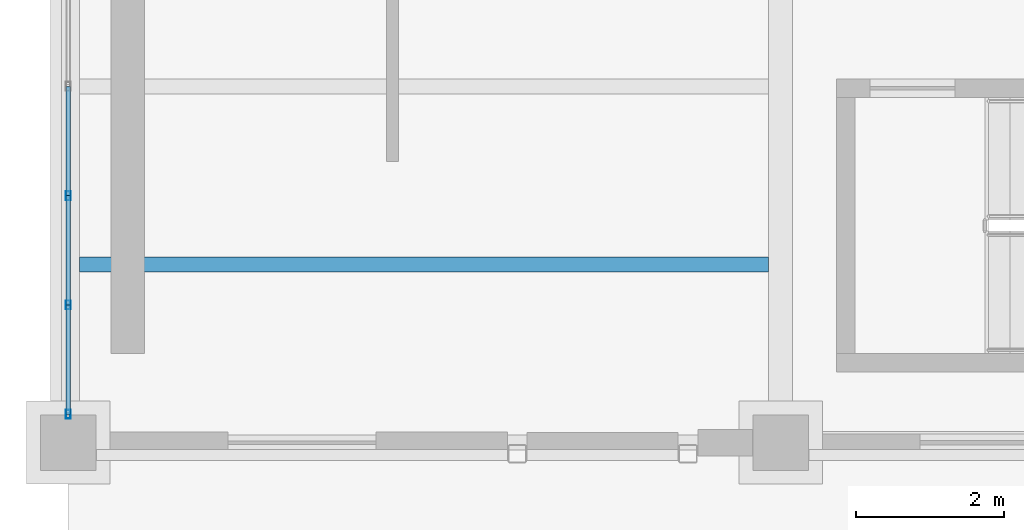
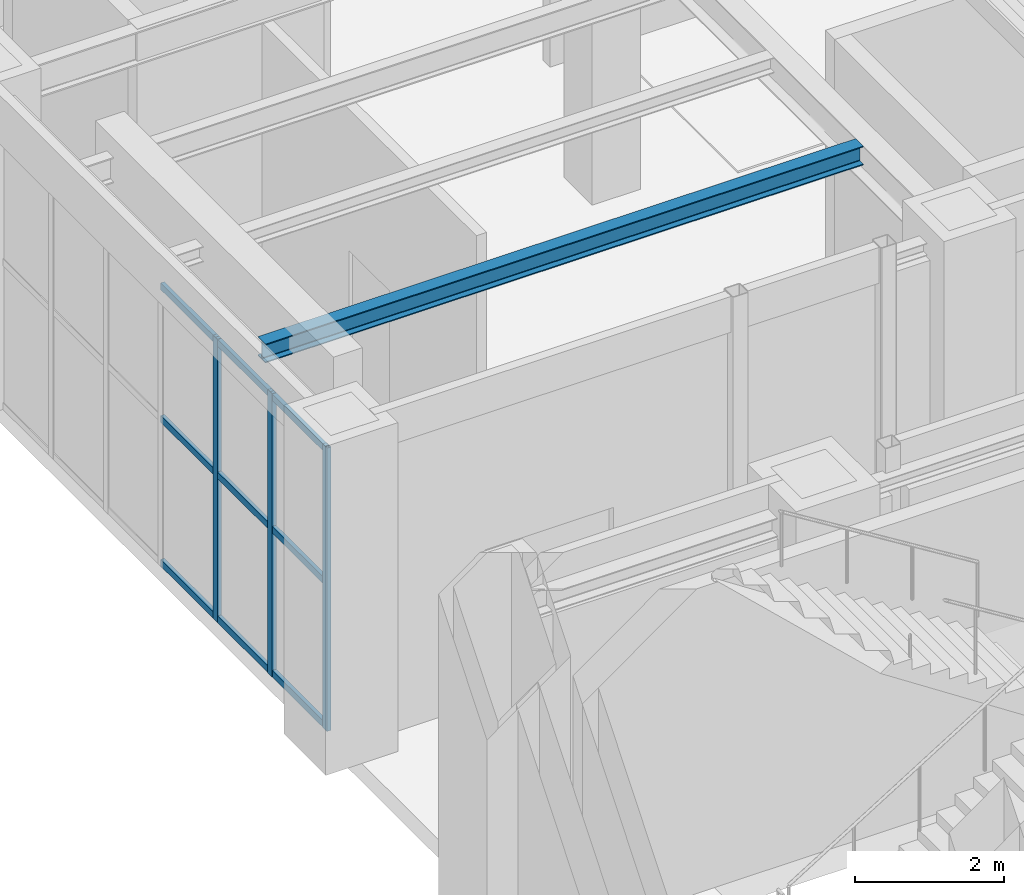
# One storey, part 59 of 164: 12 members, 1 beam, 1 element without a shape of its own.
"""IFC4 building model written with IfcOpenShell, lengths in metres."""

from ifc_helpers import new_model, si_unit, direction, frame, origin, origin_2d, place, context, subcontext, project, spatial, hollow_rectangle, i_section, extrude, material, material_profile, profile_set, type_object, element, aggregate, save


model = new_model("IFC4")

# Units and contexts
model_context = context("Model", 3, precision=1e-05, world=origin(), true_north=direction((0.0, 1.0)))
body_context = subcontext(model_context, "Body", "Model", "MODEL_VIEW")
ifc_project = project(units=[si_unit("LENGTHUNIT", "METRE"), si_unit("AREAUNIT", "SQUARE_METRE"), si_unit("VOLUMEUNIT", "CUBIC_METRE"), si_unit("PLANEANGLEUNIT", "RADIAN"), si_unit("MASSUNIT", "GRAM", prefix="KILO")], contexts=[model_context])

# Site, building, storey
site_placement = place(None, origin())
site = spatial("IfcSite", under=ifc_project, at=site_placement, CompositionType="ELEMENT")
building_placement = place(site_placement, origin())
building = spatial("IfcBuilding", under=site, at=building_placement, Name="Mavantir Sound Aquarium", CompositionType="ELEMENT")
storey_placement = place(building_placement, origin())
storey = spatial("IfcBuildingStorey", under=building, at=storey_placement, Name="L00", CompositionType="ELEMENT", Elevation=0.0)

# Beam
ifc_material_1 = material(Name="Structural Steel ASTM A992 Gr50", Category="steel")
ifc_material_profile_1 = material_profile(ifc_material_1, i_section(OverallWidth=0.205078125, OverallDepth=0.31005859375, WebThickness=0.009521484375, FlangeThickness=0.016357421875, FilletRadius=0.012939453125, at=origin_2d()), Name="W310X74")
ifc_profile_set_1 = profile_set([ifc_material_profile_1], Name="Structural Steel ASTM A992 Gr50")
beam_type = type_object("IfcBeamType", Name="BM-W310X74-I", PredefinedType="JOIST", material=ifc_profile_set_1)
beam_placement = place(storey_placement, frame((0.152587890625, 86.0, 4.94091796875), z_axis=(1.0, 0.0, 0.0), x_axis=(0.0, 1.0, 0.0)))
element("IfcBeam", 1, at=beam_placement, inside=storey, type_object=beam_type, Name="L00 secondary floor joist SJ-31 575", PredefinedType="JOIST", context=body_context, shape_type="SweptSolid", body=[
    extrude(i_section(OverallWidth=0.205078125, OverallDepth=0.31005859375, WebThickness=0.009521484375, FlangeThickness=0.016357421875, FilletRadius=0.012939453125, at=origin_2d()), origin(), (0.0, 0.0, 1.0), 9.285400390625),
])

# Curtain wall, members
ifc_material_2 = material(Name="Anodised Marine Aluminium and Low-E Glass", Category="aluminium")
curtain_wall_type = type_object("IfcCurtainWallType", Name="CW-T22", PredefinedType="USERDEFINED", material=ifc_material_2)
curtain_wall_placement = place(storey_placement, origin())
curtain_wall = element("IfcCurtainWall", 2, at=curtain_wall_placement, inside=storey, type_object=curtain_wall_type, Name="L00 unitised curtain wall CW-22 46", ObjectType="UNITISED GLAZING", PredefinedType="USERDEFINED")
ifc_material_3 = material(Name="Anodised Marine Aluminium 6063-T6", Category="aluminium")
ifc_material_profile_2 = material_profile(ifc_material_3, hollow_rectangle(XDim=0.06494140625, YDim=0.1201171875, WallThickness=0.00390625, at=origin_2d()), Name="ALU-MULLION-120X65")
ifc_profile_set_2 = profile_set([ifc_material_profile_2], Name="Anodised Marine Aluminium 6063-T6")
member_type_1 = type_object("IfcMemberType", Name="CW-MUL-120", PredefinedType="MULLION", material=ifc_profile_set_2)
member_1_placement = place(storey_placement, frame((0.0, 86.927734375, 0.0), z_axis=(0.0, 0.0, 1.0), x_axis=(1.0, 0.0, 0.0)))
member_1 = element("IfcMember", 3, at=member_1_placement, type_object=member_type_1, Name="CW-L00-046 vertical mullion 5", PredefinedType="MULLION", context=body_context, shape_type="SweptSolid", body=[
    extrude(hollow_rectangle(XDim=0.06494140625, YDim=0.1201171875, WallThickness=0.00390625, at=origin_2d()), origin(), (0.0, 0.0, 1.0), 4.64892578125),
])
member_2_placement = place(storey_placement, frame((0.0, 85.455322265625, 0.0), z_axis=(0.0, 0.0, 1.0), x_axis=(1.0, 0.0, 0.0)))
member_2 = element("IfcMember", 4, at=member_2_placement, type_object=member_type_1, Name="CW-L00-046 vertical mullion 6", PredefinedType="MULLION", context=body_context, shape_type="SweptSolid", body=[
    extrude(hollow_rectangle(XDim=0.06494140625, YDim=0.1201171875, WallThickness=0.00390625, at=origin_2d()), origin(), (0.0, 0.0, 1.0), 4.64892578125),
])
member_3_placement = place(storey_placement, frame((0.0, 83.98291015625, 0.0), z_axis=(0.0, 0.0, 1.0), x_axis=(1.0, 0.0, 0.0)))
member_3 = element("IfcMember", 5, at=member_3_placement, type_object=member_type_1, Name="CW-L00-046 vertical mullion 7", PredefinedType="MULLION", context=body_context, shape_type="SweptSolid", body=[
    extrude(hollow_rectangle(XDim=0.06494140625, YDim=0.1201171875, WallThickness=0.00390625, at=origin_2d()), origin(), (0.0, 0.0, 1.0), 4.64892578125),
])
ifc_material_profile_3 = material_profile(ifc_material_3, hollow_rectangle(XDim=0.06005859375, YDim=0.110107421875, WallThickness=0.00390625, at=origin_2d()), Name="ALU-TRANSOM-110X60")
ifc_profile_set_3 = profile_set([ifc_material_profile_3], Name="Anodised Marine Aluminium 6063-T6")
member_type_2 = type_object("IfcMemberType", Name="CW-TRN-110", PredefinedType="USERDEFINED", material=ifc_profile_set_3)
member_4_placement = place(storey_placement, frame((0.0, 88.39990234375, 0.054931640625), z_axis=(0.0, -1.0, 0.0), x_axis=(1.0, 0.0, 0.0)))
member_4 = element("IfcMember", 6, at=member_4_placement, type_object=member_type_2, Name="CW-L00-046 transom 4.1", ObjectType="TRANSOM", PredefinedType="USERDEFINED", context=body_context, shape_type="SweptSolid", body=[
    extrude(hollow_rectangle(XDim=0.06005859375, YDim=0.110107421875, WallThickness=0.00390625, at=origin_2d()), origin(), (0.0, 0.0, 1.0), 1.47216796875),
])
member_5_placement = place(storey_placement, frame((0.0, 88.39990234375, 2.41748046875), z_axis=(0.0, -1.0, 0.0), x_axis=(1.0, 0.0, 0.0)))
member_5 = element("IfcMember", 7, at=member_5_placement, type_object=member_type_2, Name="CW-L00-046 transom 4.2", ObjectType="TRANSOM", PredefinedType="USERDEFINED", context=body_context, shape_type="SweptSolid", body=[
    extrude(hollow_rectangle(XDim=0.06005859375, YDim=0.110107421875, WallThickness=0.00390625, at=origin_2d()), origin(), (0.0, 0.0, 1.0), 1.47216796875),
])
member_6_placement = place(storey_placement, frame((0.0, 88.39990234375, 4.593994140625), z_axis=(0.0, -1.0, 0.0), x_axis=(1.0, 0.0, 0.0)))
member_6 = element("IfcMember", 8, at=member_6_placement, type_object=member_type_2, Name="CW-L00-046 transom 4.3", ObjectType="TRANSOM", PredefinedType="USERDEFINED", context=body_context, shape_type="SweptSolid", body=[
    extrude(hollow_rectangle(XDim=0.06005859375, YDim=0.110107421875, WallThickness=0.00390625, at=origin_2d()), origin(), (0.0, 0.0, 1.0), 1.47216796875),
])
member_7_placement = place(storey_placement, frame((0.0, 86.927734375, 0.054931640625), z_axis=(0.0, -1.0, 0.0), x_axis=(1.0, 0.0, 0.0)))
member_7 = element("IfcMember", 9, at=member_7_placement, type_object=member_type_2, Name="CW-L00-046 transom 5.1", ObjectType="TRANSOM", PredefinedType="USERDEFINED", context=body_context, shape_type="SweptSolid", body=[
    extrude(hollow_rectangle(XDim=0.06005859375, YDim=0.110107421875, WallThickness=0.00390625, at=origin_2d()), origin(), (0.0, 0.0, 1.0), 1.472412109375),
])
member_8_placement = place(storey_placement, frame((0.0, 86.927734375, 2.41748046875), z_axis=(0.0, -1.0, 0.0), x_axis=(1.0, 0.0, 0.0)))
member_8 = element("IfcMember", 10, at=member_8_placement, type_object=member_type_2, Name="CW-L00-046 transom 5.2", ObjectType="TRANSOM", PredefinedType="USERDEFINED", context=body_context, shape_type="SweptSolid", body=[
    extrude(hollow_rectangle(XDim=0.06005859375, YDim=0.110107421875, WallThickness=0.00390625, at=origin_2d()), origin(), (0.0, 0.0, 1.0), 1.472412109375),
])
member_9_placement = place(storey_placement, frame((0.0, 86.927734375, 4.593994140625), z_axis=(0.0, -1.0, 0.0), x_axis=(1.0, 0.0, 0.0)))
member_9 = element("IfcMember", 11, at=member_9_placement, type_object=member_type_2, Name="CW-L00-046 transom 5.3", ObjectType="TRANSOM", PredefinedType="USERDEFINED", context=body_context, shape_type="SweptSolid", body=[
    extrude(hollow_rectangle(XDim=0.06005859375, YDim=0.110107421875, WallThickness=0.00390625, at=origin_2d()), origin(), (0.0, 0.0, 1.0), 1.472412109375),
])
member_10_placement = place(storey_placement, frame((0.0, 85.455322265625, 0.054931640625), z_axis=(0.0, -1.0, 0.0), x_axis=(1.0, 0.0, 0.0)))
member_10 = element("IfcMember", 12, at=member_10_placement, type_object=member_type_2, Name="CW-L00-046 transom 6.1", ObjectType="TRANSOM", PredefinedType="USERDEFINED", context=body_context, shape_type="SweptSolid", body=[
    extrude(hollow_rectangle(XDim=0.06005859375, YDim=0.110107421875, WallThickness=0.00390625, at=origin_2d()), origin(), (0.0, 0.0, 1.0), 1.472412109375),
])
member_11_placement = place(storey_placement, frame((0.0, 85.455322265625, 2.41748046875), z_axis=(0.0, -1.0, 0.0), x_axis=(1.0, 0.0, 0.0)))
member_11 = element("IfcMember", 13, at=member_11_placement, type_object=member_type_2, Name="CW-L00-046 transom 6.2", ObjectType="TRANSOM", PredefinedType="USERDEFINED", context=body_context, shape_type="SweptSolid", body=[
    extrude(hollow_rectangle(XDim=0.06005859375, YDim=0.110107421875, WallThickness=0.00390625, at=origin_2d()), origin(), (0.0, 0.0, 1.0), 1.472412109375),
])
member_12_placement = place(storey_placement, frame((0.0, 85.455322265625, 4.593994140625), z_axis=(0.0, -1.0, 0.0), x_axis=(1.0, 0.0, 0.0)))
member_12 = element("IfcMember", 14, at=member_12_placement, type_object=member_type_2, Name="CW-L00-046 transom 6.3", ObjectType="TRANSOM", PredefinedType="USERDEFINED", context=body_context, shape_type="SweptSolid", body=[
    extrude(hollow_rectangle(XDim=0.06005859375, YDim=0.110107421875, WallThickness=0.00390625, at=origin_2d()), origin(), (0.0, 0.0, 1.0), 1.472412109375),
])
aggregate(curtain_wall, [member_1, member_2, member_3, member_4, member_5, member_6, member_7, member_8, member_9, member_10, member_11, member_12])

save(model, "model.ifc")
